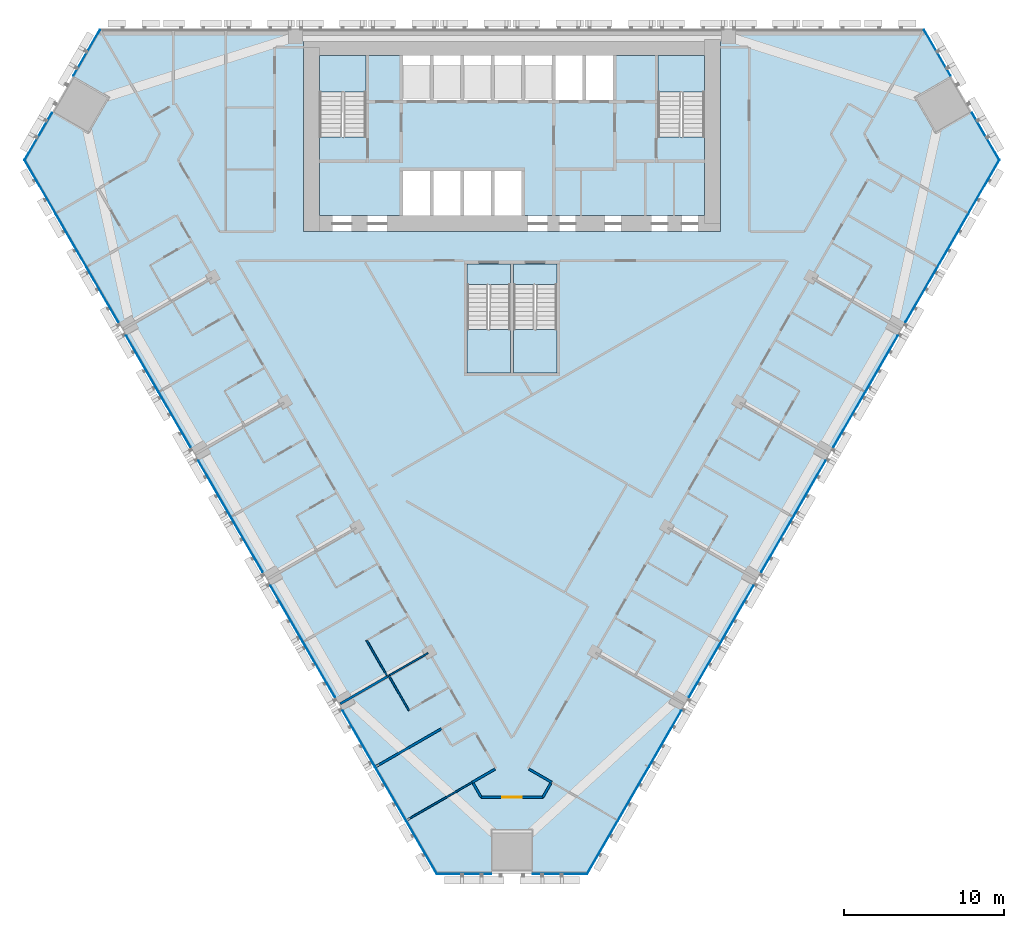
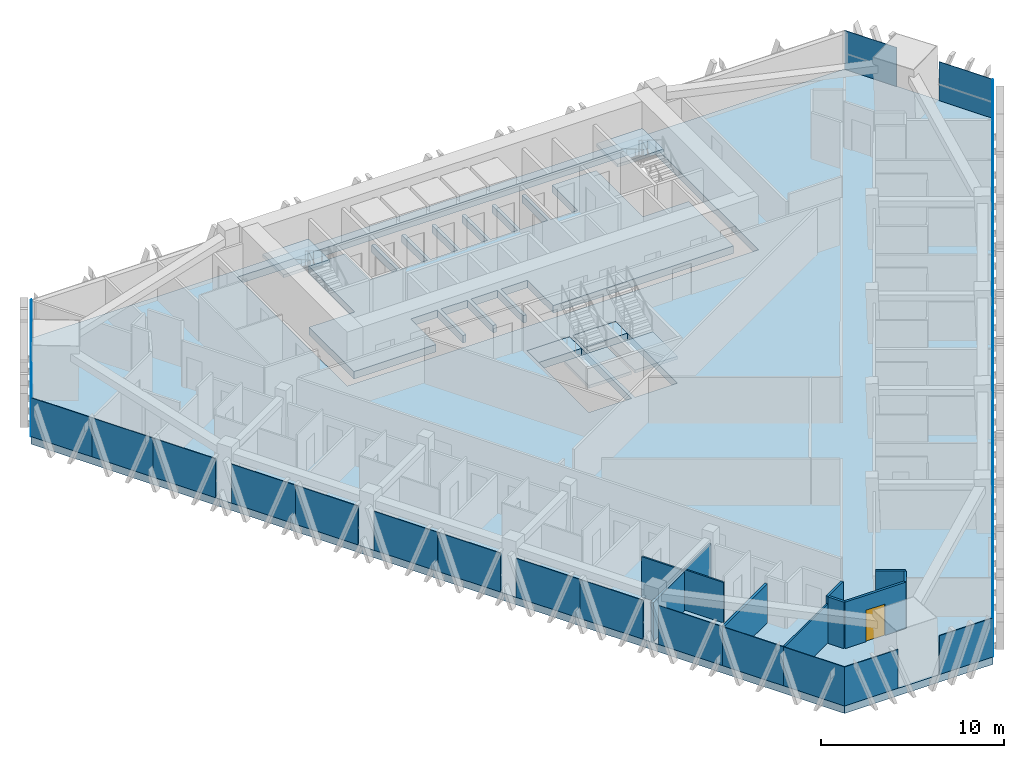
# One storey, part 8 of 17: 30 plates, 11 walls, 8 slabs, 1 door, 1 opening, 9 elements without a shape of their own.
"""IFC4 building model written with IfcOpenShell, lengths in metres."""

from ifc_helpers import new_model, si_unit, direction, frame, frame_2d, origin, origin_2d, place, context, subcontext, project, spatial, polyline, rectangle, outline, extrude, material, layer, layer_set, type_object, element, fill, aggregate, save


model = new_model("IFC4")

# Units and contexts
model_context = context("Model", 3, precision=1e-05, world=origin(), true_north=direction((0.0, 1.0)))
body_context = subcontext(model_context, "Body", "Model", "MODEL_VIEW")
ifc_project = project(units=[si_unit("LENGTHUNIT", "METRE"), si_unit("AREAUNIT", "SQUARE_METRE"), si_unit("VOLUMEUNIT", "CUBIC_METRE"), si_unit("PLANEANGLEUNIT", "RADIAN"), si_unit("MASSUNIT", "GRAM", prefix="KILO")], contexts=[model_context])

# Site, building, storey
site_placement = place(None, origin())
site = spatial("IfcSite", under=ifc_project, at=site_placement, CompositionType="ELEMENT")
building_placement = place(site_placement, origin())
building = spatial("IfcBuilding", under=site, at=building_placement, Name="Altiplano Prism Tower", CompositionType="ELEMENT")
storey_placement = place(building_placement, frame((0.0, 0.0, 55.800048828125)))
storey = spatial("IfcBuildingStorey", under=building, at=storey_placement, Name="L13", CompositionType="ELEMENT", Elevation=55.800048828125)

# Curtain wall, plates
ifc_material_1 = material(Name="Aluminium and glass", Category="aluminium")
ifc_layer_1 = layer(ifc_material_1, 0.280029296875)
ifc_layer_set_1 = layer_set([ifc_layer_1], Name="Aluminium and glass")
curtain_wall_type = type_object("IfcCurtainWallType", Name="CW1 typical co-living unitised curtain wall", PredefinedType="NOTDEFINED", material=ifc_layer_set_1)
curtain_wall_1_placement = place(storey_placement, origin())
curtain_wall_1 = element("IfcCurtainWall", 1, at=curtain_wall_1_placement, inside=storey, type_object=curtain_wall_type, Name="CW1 curtain wall north-west chamfer L13", PredefinedType="NOTDEFINED")
ifc_material_2 = material(Name="Clear glass", Category="glass")
ifc_layer_2 = layer(ifc_material_2, 0.0400390625)
ifc_layer_set_2 = layer_set([ifc_layer_2], Name="Clear glass")
plate_type = type_object("IfcPlateType", Name="CW1 insulated glass unit 40", PredefinedType="CURTAIN_PANEL", material=ifc_layer_set_2)
plate_1_placement = place(storey_placement, frame((58.480224609375, 103.555908203125, 0.0), z_axis=(0.0, 0.0, 1.0), x_axis=(-0.500000056999, -0.866025370876, 0.0)))
plate_1 = element("IfcPlate", 2, at=plate_1_placement, type_object=plate_type, Name="CW1 panel", PredefinedType="CURTAIN_PANEL", context=body_context, shape_type="SweptSolid", body=[
    extrude(rectangle(XDim=3.30224609375, YDim=0.0400390625, at=origin_2d()), origin(), (0.0, 0.0, 1.0), 2.60009765625),
])
plate_2_placement = place(storey_placement, frame((55.46435546875, 98.331787109375, 0.0), z_axis=(0.0, 0.0, 1.0), x_axis=(-0.500000056999, -0.866025370876, 0.0)))
plate_2 = element("IfcPlate", 3, at=plate_2_placement, type_object=plate_type, Name="CW1 panel", PredefinedType="CURTAIN_PANEL", context=body_context, shape_type="SweptSolid", body=[
    extrude(rectangle(XDim=3.382080078125, YDim=0.0400390625, at=origin_2d()), origin(), (0.0, 0.0, 1.0), 2.60009765625),
])
aggregate(curtain_wall_1, [plate_1, plate_2])

curtain_wall_2_placement = place(storey_placement, origin())
curtain_wall_2 = element("IfcCurtainWall", 4, at=curtain_wall_2_placement, inside=storey, type_object=curtain_wall_type, Name="CW1 curtain wall south-west face L13", PredefinedType="NOTDEFINED")
plate_3_placement = place(storey_placement, frame((55.579833984375, 95.2138671875, 0.0), z_axis=(0.0, 0.0, 1.0), x_axis=(0.499999992322, -0.866025408218, 0.0)))
plate_3 = element("IfcPlate", 5, at=plate_3_placement, type_object=plate_type, Name="CW1 panel", PredefinedType="CURTAIN_PANEL", context=body_context, shape_type="SweptSolid", body=[
    extrude(rectangle(XDim=3.844482421875, YDim=0.0400390625, at=origin_2d()), origin(), (0.0, 0.0, 1.0), 2.60009765625),
])
plate_4_placement = place(storey_placement, frame((57.507080078125, 91.8759765625, 0.0), z_axis=(0.0, 0.0, 1.0), x_axis=(0.499999992322, -0.866025408218, 0.0)))
plate_4 = element("IfcPlate", 6, at=plate_4_placement, type_object=plate_type, Name="CW1 panel", PredefinedType="CURTAIN_PANEL", context=body_context, shape_type="SweptSolid", body=[
    extrude(rectangle(XDim=3.844482421875, YDim=0.0400390625, at=origin_2d()), origin(), (0.0, 0.0, 1.0), 2.60009765625),
])
plate_5_placement = place(storey_placement, frame((59.46337890625, 88.487548828125, 0.0), z_axis=(0.0, 0.0, 1.0), x_axis=(0.499999992322, -0.866025408218, 0.0)))
plate_5 = element("IfcPlate", 7, at=plate_5_placement, type_object=plate_type, Name="CW1 panel", PredefinedType="CURTAIN_PANEL", context=body_context, shape_type="SweptSolid", body=[
    extrude(rectangle(XDim=3.96044921875, YDim=0.0400390625, at=origin_2d()), origin(), (0.0, 0.0, 1.0), 2.60009765625),
])
plate_6_placement = place(storey_placement, frame((61.95849609375, 84.166015625, 0.0), z_axis=(0.0, 0.0, 1.0), x_axis=(0.499999992322, -0.866025408218, 0.0)))
plate_6 = element("IfcPlate", 8, at=plate_6_placement, type_object=plate_type, Name="CW1 panel", PredefinedType="CURTAIN_PANEL", context=body_context, shape_type="SweptSolid", body=[
    extrude(rectangle(XDim=4.039306640625, YDim=0.0400390625, at=origin_2d()), origin(), (0.0, 0.0, 1.0), 2.60009765625),
])
plate_7_placement = place(storey_placement, frame((63.96337890625, 80.693359375, 0.0), z_axis=(0.0, 0.0, 1.0), x_axis=(0.499999992322, -0.866025408218, 0.0)))
plate_7 = element("IfcPlate", 9, at=plate_7_placement, type_object=plate_type, Name="CW1 panel", PredefinedType="CURTAIN_PANEL", context=body_context, shape_type="SweptSolid", body=[
    extrude(rectangle(XDim=3.96044921875, YDim=0.0400390625, at=origin_2d()), origin(), (0.0, 0.0, 1.0), 2.60009765625),
])
plate_8_placement = place(storey_placement, frame((66.45849609375, 76.371826171875, 0.0), z_axis=(0.0, 0.0, 1.0), x_axis=(0.499999992322, -0.866025408218, 0.0)))
plate_8 = element("IfcPlate", 10, at=plate_8_placement, type_object=plate_type, Name="CW1 panel", PredefinedType="CURTAIN_PANEL", context=body_context, shape_type="SweptSolid", body=[
    extrude(rectangle(XDim=4.039306640625, YDim=0.0400390625, at=origin_2d()), origin(), (0.0, 0.0, 1.0), 2.60009765625),
])
plate_9_placement = place(storey_placement, frame((68.46337890625, 72.899169921875, 0.0), z_axis=(0.0, 0.0, 1.0), x_axis=(0.499999992322, -0.866025408218, 0.0)))
plate_9 = element("IfcPlate", 11, at=plate_9_placement, type_object=plate_type, Name="CW1 panel", PredefinedType="CURTAIN_PANEL", context=body_context, shape_type="SweptSolid", body=[
    extrude(rectangle(XDim=3.96044921875, YDim=0.0400390625, at=origin_2d()), origin(), (0.0, 0.0, 1.0), 2.60009765625),
])
plate_10_placement = place(storey_placement, frame((70.95849609375, 68.57763671875, 0.0), z_axis=(0.0, 0.0, 1.0), x_axis=(0.499999992322, -0.866025408218, 0.0)))
plate_10 = element("IfcPlate", 12, at=plate_10_placement, type_object=plate_type, Name="CW1 panel", PredefinedType="CURTAIN_PANEL", context=body_context, shape_type="SweptSolid", body=[
    extrude(rectangle(XDim=4.039306640625, YDim=0.0400390625, at=origin_2d()), origin(), (0.0, 0.0, 1.0), 2.60009765625),
])
plate_11_placement = place(storey_placement, frame((72.96337890625, 65.104736328125, 0.0), z_axis=(0.0, 0.0, 1.0), x_axis=(0.499999992322, -0.866025408218, 0.0)))
plate_11 = element("IfcPlate", 13, at=plate_11_placement, type_object=plate_type, Name="CW1 panel", PredefinedType="CURTAIN_PANEL", context=body_context, shape_type="SweptSolid", body=[
    extrude(rectangle(XDim=3.96044921875, YDim=0.0400390625, at=origin_2d()), origin(), (0.0, 0.0, 1.0), 2.60009765625),
])
plate_12_placement = place(storey_placement, frame((75.45849609375, 60.783203125, 0.0), z_axis=(0.0, 0.0, 1.0), x_axis=(0.499999992322, -0.866025408218, 0.0)))
plate_12 = element("IfcPlate", 14, at=plate_12_placement, type_object=plate_type, Name="CW1 panel", PredefinedType="CURTAIN_PANEL", context=body_context, shape_type="SweptSolid", body=[
    extrude(rectangle(XDim=4.039306640625, YDim=0.0400390625, at=origin_2d()), origin(), (0.0, 0.0, 1.0), 2.60009765625),
])
plate_13_placement = place(storey_placement, frame((77.434326171875, 57.36083984375, 0.0), z_axis=(0.0, 0.0, 1.0), x_axis=(0.499999992322, -0.866025408218, 0.0)))
plate_13 = element("IfcPlate", 15, at=plate_13_placement, type_object=plate_type, Name="CW1 panel", PredefinedType="CURTAIN_PANEL", context=body_context, shape_type="SweptSolid", body=[
    extrude(rectangle(XDim=3.844482421875, YDim=0.0400390625, at=origin_2d()), origin(), (0.0, 0.0, 1.0), 2.60009765625),
])
plate_14_placement = place(storey_placement, frame((79.361572265625, 54.022705078125, 0.0), z_axis=(0.0, 0.0, 1.0), x_axis=(0.499999992322, -0.866025408218, 0.0)))
plate_14 = element("IfcPlate", 16, at=plate_14_placement, type_object=plate_type, Name="CW1 panel", PredefinedType="CURTAIN_PANEL", context=body_context, shape_type="SweptSolid", body=[
    extrude(rectangle(XDim=3.844482421875, YDim=0.0400390625, at=origin_2d()), origin(), (0.0, 0.0, 1.0), 2.60009765625),
])
aggregate(curtain_wall_2, [plate_3, plate_4, plate_5, plate_6, plate_7, plate_8, plate_9, plate_10, plate_11, plate_12, plate_13, plate_14])

curtain_wall_3_placement = place(storey_placement, origin())
curtain_wall_3 = element("IfcCurtainWall", 17, at=curtain_wall_3_placement, inside=storey, type_object=curtain_wall_type, Name="CW1 curtain wall south chamfer L13", PredefinedType="NOTDEFINED")
plate_15_placement = place(storey_placement, frame((82.00390625, 52.36376953125, 0.0), z_axis=(0.0, 0.0, 1.0), x_axis=(1.0, 0.0, 0.0)))
plate_15 = element("IfcPlate", 18, at=plate_15_placement, type_object=plate_type, Name="CW1 panel", PredefinedType="CURTAIN_PANEL", context=body_context, shape_type="SweptSolid", body=[
    extrude(rectangle(XDim=3.382080078125, YDim=0.0400390625, at=origin_2d()), origin(), (0.0, 0.0, 1.0), 2.60009765625),
])
plate_16_placement = place(storey_placement, frame((87.99609375, 52.36376953125, 0.0), z_axis=(0.0, 0.0, 1.0), x_axis=(1.0, 0.0, 0.0)))
plate_16 = element("IfcPlate", 19, at=plate_16_placement, type_object=plate_type, Name="CW1 panel", PredefinedType="CURTAIN_PANEL", context=body_context, shape_type="SweptSolid", body=[
    extrude(rectangle(XDim=3.382080078125, YDim=0.0400390625, at=origin_2d()), origin(), (0.0, 0.0, 1.0), 2.60009765625),
])
aggregate(curtain_wall_3, [plate_15, plate_16])

curtain_wall_4_placement = place(storey_placement, origin())
curtain_wall_4 = element("IfcCurtainWall", 20, at=curtain_wall_4_placement, inside=storey, type_object=curtain_wall_type, Name="CW1 curtain wall south-east face L13", PredefinedType="NOTDEFINED")
plate_17_placement = place(storey_placement, frame((90.638427734375, 54.022705078125, 0.0), z_axis=(0.0, 0.0, 1.0), x_axis=(0.499999992322, 0.866025408218, 0.0)))
plate_17 = element("IfcPlate", 21, at=plate_17_placement, type_object=plate_type, Name="CW1 panel", PredefinedType="CURTAIN_PANEL", context=body_context, shape_type="SweptSolid", body=[
    extrude(rectangle(XDim=3.844482421875, YDim=0.0400390625, at=origin_2d()), origin(), (0.0, 0.0, 1.0), 2.60009765625),
])
plate_18_placement = place(storey_placement, frame((92.565673828125, 57.36083984375, 0.0), z_axis=(0.0, 0.0, 1.0), x_axis=(0.499999992322, 0.866025408218, 0.0)))
plate_18 = element("IfcPlate", 22, at=plate_18_placement, type_object=plate_type, Name="CW1 panel", PredefinedType="CURTAIN_PANEL", context=body_context, shape_type="SweptSolid", body=[
    extrude(rectangle(XDim=3.844482421875, YDim=0.0400390625, at=origin_2d()), origin(), (0.0, 0.0, 1.0), 2.60009765625),
])
plate_19_placement = place(storey_placement, frame((94.54150390625, 60.783203125, 0.0), z_axis=(0.0, 0.0, 1.0), x_axis=(0.499999992322, 0.866025408218, 0.0)))
plate_19 = element("IfcPlate", 23, at=plate_19_placement, type_object=plate_type, Name="CW1 panel", PredefinedType="CURTAIN_PANEL", context=body_context, shape_type="SweptSolid", body=[
    extrude(rectangle(XDim=4.039306640625, YDim=0.0400390625, at=origin_2d()), origin(), (0.0, 0.0, 1.0), 2.60009765625),
])
plate_20_placement = place(storey_placement, frame((97.03662109375, 65.104736328125, 0.0), z_axis=(0.0, 0.0, 1.0), x_axis=(0.499999992322, 0.866025408218, 0.0)))
plate_20 = element("IfcPlate", 24, at=plate_20_placement, type_object=plate_type, Name="CW1 panel", PredefinedType="CURTAIN_PANEL", context=body_context, shape_type="SweptSolid", body=[
    extrude(rectangle(XDim=3.96044921875, YDim=0.0400390625, at=origin_2d()), origin(), (0.0, 0.0, 1.0), 2.60009765625),
])
plate_21_placement = place(storey_placement, frame((99.04150390625, 68.57763671875, 0.0), z_axis=(0.0, 0.0, 1.0), x_axis=(0.499999992322, 0.866025408218, 0.0)))
plate_21 = element("IfcPlate", 25, at=plate_21_placement, type_object=plate_type, Name="CW1 panel", PredefinedType="CURTAIN_PANEL", context=body_context, shape_type="SweptSolid", body=[
    extrude(rectangle(XDim=4.039306640625, YDim=0.0400390625, at=origin_2d()), origin(), (0.0, 0.0, 1.0), 2.60009765625),
])
plate_22_placement = place(storey_placement, frame((101.53662109375, 72.899169921875, 0.0), z_axis=(0.0, 0.0, 1.0), x_axis=(0.499999992322, 0.866025408218, 0.0)))
plate_22 = element("IfcPlate", 26, at=plate_22_placement, type_object=plate_type, Name="CW1 panel", PredefinedType="CURTAIN_PANEL", context=body_context, shape_type="SweptSolid", body=[
    extrude(rectangle(XDim=3.96044921875, YDim=0.0400390625, at=origin_2d()), origin(), (0.0, 0.0, 1.0), 2.60009765625),
])
plate_23_placement = place(storey_placement, frame((103.54150390625, 76.371826171875, 0.0), z_axis=(0.0, 0.0, 1.0), x_axis=(0.499999992322, 0.866025408218, 0.0)))
plate_23 = element("IfcPlate", 27, at=plate_23_placement, type_object=plate_type, Name="CW1 panel", PredefinedType="CURTAIN_PANEL", context=body_context, shape_type="SweptSolid", body=[
    extrude(rectangle(XDim=4.039306640625, YDim=0.0400390625, at=origin_2d()), origin(), (0.0, 0.0, 1.0), 2.60009765625),
])
plate_24_placement = place(storey_placement, frame((106.03662109375, 80.693359375, 0.0), z_axis=(0.0, 0.0, 1.0), x_axis=(0.499999992322, 0.866025408218, 0.0)))
plate_24 = element("IfcPlate", 28, at=plate_24_placement, type_object=plate_type, Name="CW1 panel", PredefinedType="CURTAIN_PANEL", context=body_context, shape_type="SweptSolid", body=[
    extrude(rectangle(XDim=3.96044921875, YDim=0.0400390625, at=origin_2d()), origin(), (0.0, 0.0, 1.0), 2.60009765625),
])
plate_25_placement = place(storey_placement, frame((108.04150390625, 84.166015625, 0.0), z_axis=(0.0, 0.0, 1.0), x_axis=(0.499999992322, 0.866025408218, 0.0)))
plate_25 = element("IfcPlate", 29, at=plate_25_placement, type_object=plate_type, Name="CW1 panel", PredefinedType="CURTAIN_PANEL", context=body_context, shape_type="SweptSolid", body=[
    extrude(rectangle(XDim=4.039306640625, YDim=0.0400390625, at=origin_2d()), origin(), (0.0, 0.0, 1.0), 2.60009765625),
])
plate_26_placement = place(storey_placement, frame((110.53662109375, 88.487548828125, 0.0), z_axis=(0.0, 0.0, 1.0), x_axis=(0.499999992322, 0.866025408218, 0.0)))
plate_26 = element("IfcPlate", 30, at=plate_26_placement, type_object=plate_type, Name="CW1 panel", PredefinedType="CURTAIN_PANEL", context=body_context, shape_type="SweptSolid", body=[
    extrude(rectangle(XDim=3.96044921875, YDim=0.0400390625, at=origin_2d()), origin(), (0.0, 0.0, 1.0), 2.60009765625),
])
plate_27_placement = place(storey_placement, frame((112.492919921875, 91.8759765625, 0.0), z_axis=(0.0, 0.0, 1.0), x_axis=(0.499999992322, 0.866025408218, 0.0)))
plate_27 = element("IfcPlate", 31, at=plate_27_placement, type_object=plate_type, Name="CW1 panel", PredefinedType="CURTAIN_PANEL", context=body_context, shape_type="SweptSolid", body=[
    extrude(rectangle(XDim=3.844482421875, YDim=0.0400390625, at=origin_2d()), origin(), (0.0, 0.0, 1.0), 2.60009765625),
])
plate_28_placement = place(storey_placement, frame((114.420166015625, 95.2138671875, 0.0), z_axis=(0.0, 0.0, 1.0), x_axis=(0.499999992322, 0.866025408218, 0.0)))
plate_28 = element("IfcPlate", 32, at=plate_28_placement, type_object=plate_type, Name="CW1 panel", PredefinedType="CURTAIN_PANEL", context=body_context, shape_type="SweptSolid", body=[
    extrude(rectangle(XDim=3.844482421875, YDim=0.0400390625, at=origin_2d()), origin(), (0.0, 0.0, 1.0), 2.60009765625),
])
aggregate(curtain_wall_4, [plate_17, plate_18, plate_19, plate_20, plate_21, plate_22, plate_23, plate_24, plate_25, plate_26, plate_27, plate_28])

curtain_wall_5_placement = place(storey_placement, origin())
curtain_wall_5 = element("IfcCurtainWall", 33, at=curtain_wall_5_placement, inside=storey, type_object=curtain_wall_type, Name="CW1 curtain wall north-east chamfer L13", PredefinedType="NOTDEFINED")
plate_29_placement = place(storey_placement, frame((114.53564453125, 98.331787109375, 0.0), z_axis=(0.0, 0.0, 1.0), x_axis=(-0.500000056999, 0.866025370876, 0.0)))
plate_29 = element("IfcPlate", 34, at=plate_29_placement, type_object=plate_type, Name="CW1 panel", PredefinedType="CURTAIN_PANEL", context=body_context, shape_type="SweptSolid", body=[
    extrude(rectangle(XDim=3.382080078125, YDim=0.0400390625, at=origin_2d()), origin(), (0.0, 0.0, 1.0), 2.60009765625),
])
plate_30_placement = place(storey_placement, frame((111.519775390625, 103.555908203125, 0.0), z_axis=(0.0, 0.0, 1.0), x_axis=(-0.500000056999, 0.866025370876, 0.0)))
plate_30 = element("IfcPlate", 35, at=plate_30_placement, type_object=plate_type, Name="CW1 panel", PredefinedType="CURTAIN_PANEL", context=body_context, shape_type="SweptSolid", body=[
    extrude(rectangle(XDim=3.30224609375, YDim=0.0400390625, at=origin_2d()), origin(), (0.0, 0.0, 1.0), 2.60009765625),
])
aggregate(curtain_wall_5, [plate_29, plate_30])

# Slabs
ifc_material_3 = material(Name="Concrete C40/50", Category="concrete")
ifc_layer_3 = layer(ifc_material_3, 0.5)
ifc_layer_set_3 = layer_set([ifc_layer_3], Name="Concrete C40/50")
slab_type_1 = type_object("IfcSlabType", Name="Core floor slab 500", PredefinedType="FLOOR", material=ifc_layer_set_3)
slab_1_placement = place(storey_placement, frame((0.0, 0.0, -0.5)))
element("IfcSlab", 36, at=slab_1_placement, inside=storey, type_object=slab_type_1, Name="Core floor slab L13", PredefinedType="FLOOR", context=body_context, shape_type="SweptSolid", body=[
    extrude(outline(polyline([(97.0, 98.31005859375), (94.10009765625, 98.31005859375), (94.10009765625, 103.39990234375), (91.300048828125, 103.39990234375), (91.300048828125, 100.60009765625), (89.60009765625, 100.60009765625), (89.60009765625, 103.39990234375), (89.39990234375, 103.39990234375), (89.39990234375, 100.60009765625), (87.699951171875, 100.60009765625), (87.699951171875, 103.39990234375), (87.5, 103.39990234375), (87.5, 100.60009765625), (85.800048828125, 100.60009765625), (85.800048828125, 103.39990234375), (85.60009765625, 103.39990234375), (85.60009765625, 100.60009765625), (83.89990234375, 100.60009765625), (83.89990234375, 103.39990234375), (83.699951171875, 103.39990234375), (83.699951171875, 100.60009765625), (82.0, 100.60009765625), (82.0, 103.39990234375), (81.800048828125, 103.39990234375), (81.800048828125, 100.60009765625), (80.10009765625, 100.60009765625), (80.10009765625, 103.39990234375), (79.89990234375, 103.39990234375), (79.89990234375, 100.60009765625), (78.199951171875, 100.60009765625), (78.199951171875, 103.39990234375), (75.89990234375, 103.39990234375), (75.89990234375, 98.31005859375), (73.0, 98.31005859375), (73.0, 93.39990234375), (78.199951171875, 93.39990234375), (78.199951171875, 96.199951171875), (79.89990234375, 96.199951171875), (79.89990234375, 93.39990234375), (80.10009765625, 93.39990234375), (80.10009765625, 96.199951171875), (81.800048828125, 96.199951171875), (81.800048828125, 93.39990234375), (82.0, 93.39990234375), (82.0, 96.199951171875), (83.699951171875, 96.199951171875), (83.699951171875, 93.39990234375), (83.89990234375, 93.39990234375), (83.89990234375, 96.199951171875), (85.60009765625, 96.199951171875), (85.60009765625, 93.39990234375), (97.0, 93.39990234375), (97.0, 98.31005859375)])), origin(), (0.0, 0.0, 1.0), 0.5),
])
slab_2_placement = place(storey_placement, frame((0.0, 0.0, -0.5)))
element("IfcSlab", 37, at=slab_2_placement, inside=storey, type_object=slab_type_1, Name="Stair 3A landing slab L13", PredefinedType="FLOOR", context=body_context, shape_type="SweptSolid", body=[
    extrude(outline(polyline([(82.199951171875, 89.096923828125), (84.89990234375, 89.096923828125), (84.89990234375, 90.39990234375), (82.199951171875, 90.39990234375), (82.199951171875, 89.096923828125)])), origin(), (0.0, 0.0, 1.0), 0.5),
])
slab_3_placement = place(storey_placement, frame((0.0, 0.0, -0.5)))
element("IfcSlab", 38, at=slab_3_placement, inside=storey, type_object=slab_type_1, Name="Stair 3B landing slab L13", PredefinedType="FLOOR", context=body_context, shape_type="SweptSolid", body=[
    extrude(outline(polyline([(85.10009765625, 89.096923828125), (87.800048828125, 89.096923828125), (87.800048828125, 90.39990234375), (85.10009765625, 90.39990234375), (85.10009765625, 89.096923828125)])), origin(), (0.0, 0.0, 1.0), 0.5),
])
ifc_layer_4 = layer(ifc_material_3, 0.5)
ifc_layer_set_4 = layer_set([ifc_layer_4], Name="Concrete C40/50")
slab_type_2 = type_object("IfcSlabType", Name="Post-tensioned flat slab 500", PredefinedType="FLOOR", material=ifc_layer_set_4)
slab_4_placement = place(storey_placement, frame((0.0, 0.0, -0.5)))
element("IfcSlab", 39, at=slab_4_placement, inside=storey, type_object=slab_type_2, Name="Floor slab L13", PredefinedType="FLOOR", context=body_context, shape_type="SweptSolid", body=[
    extrude(outline(polyline([(80.307861328125, 52.34375), (54.598876953125, 96.873046875), (59.291015625, 105.0), (110.708984375, 105.0), (115.401123046875, 96.873046875), (89.692138671875, 52.34375), (80.307861328125, 52.34375)]), holes=[polyline([(72.0, 104.39990234375), (72.0, 92.39990234375), (98.0, 92.39990234375), (98.0, 104.39990234375), (72.0, 104.39990234375)]), polyline([(84.89990234375, 90.39990234375), (82.199951171875, 90.39990234375), (82.199951171875, 83.60009765625), (84.89990234375, 83.60009765625), (84.89990234375, 90.39990234375)]), polyline([(87.800048828125, 83.60009765625), (87.800048828125, 90.39990234375), (85.10009765625, 90.39990234375), (85.10009765625, 83.60009765625), (87.800048828125, 83.60009765625)])]), origin(), (0.0, 0.0, 1.0), 0.5),
])

# Stair, slab
stair_type_1 = type_object("IfcStairType", Name="Exit stair 1400", PredefinedType="HALF_TURN_STAIR", material=ifc_material_3)
stair_1_placement = place(storey_placement, origin())
stair_1 = element("IfcStair", 40, at=stair_1_placement, inside=storey, type_object=stair_type_1, Name="L13 Exit Stair 1", PredefinedType="HALF_TURN_STAIR")
ifc_layer_5 = layer(ifc_material_3, 0.199951171875)
ifc_layer_set_5 = layer_set([ifc_layer_5], Name="Concrete C40/50")
slab_type_3 = type_object("IfcSlabType", Name="Stair landing 200", PredefinedType="LANDING", material=ifc_layer_set_5)
slab_5_placement = place(storey_placement, frame((0.0, 0.0, 1.599853515625)))
slab_5 = element("IfcSlab", 41, at=slab_5_placement, type_object=slab_type_3, Name="ST1 landing 1", PredefinedType="LANDING", context=body_context, shape_type="SweptSolid", body=[
    extrude(outline(polyline([(75.89990234375, 101.096923828125), (75.89990234375, 103.39990234375), (73.0, 103.39990234375), (73.0, 101.096923828125), (75.89990234375, 101.096923828125)])), origin(), (0.0, 0.0, 1.0), 0.2001953125),
])
aggregate(stair_1, [slab_5])

stair_2_placement = place(storey_placement, origin())
stair_2 = element("IfcStair", 42, at=stair_2_placement, inside=storey, type_object=stair_type_1, Name="L13 Exit Stair 2", PredefinedType="HALF_TURN_STAIR")
slab_6_placement = place(storey_placement, frame((0.0, 0.0, 1.599853515625)))
slab_6 = element("IfcSlab", 43, at=slab_6_placement, type_object=slab_type_3, Name="ST2 landing 1", PredefinedType="LANDING", context=body_context, shape_type="SweptSolid", body=[
    extrude(outline(polyline([(97.0, 101.096923828125), (97.0, 103.39990234375), (94.10009765625, 103.39990234375), (94.10009765625, 101.096923828125), (97.0, 101.096923828125)])), origin(), (0.0, 0.0, 1.0), 0.2001953125),
])
aggregate(stair_2, [slab_6])

stair_type_2 = type_object("IfcStairType", Name="Exit stair 1300", PredefinedType="HALF_TURN_STAIR", material=ifc_material_3)
stair_3_placement = place(storey_placement, origin())
stair_3 = element("IfcStair", 44, at=stair_3_placement, inside=storey, type_object=stair_type_2, Name="L13 Exit Stair 3A", PredefinedType="HALF_TURN_STAIR")
slab_7_placement = place(storey_placement, frame((0.0, 0.0, 1.599853515625)))
slab_7 = element("IfcSlab", 45, at=slab_7_placement, type_object=slab_type_3, Name="ST3A landing 1", PredefinedType="LANDING", context=body_context, shape_type="SweptSolid", body=[
    extrude(outline(polyline([(82.199951171875, 86.302978515625), (82.199951171875, 83.60009765625), (84.89990234375, 83.60009765625), (84.89990234375, 86.302978515625), (82.199951171875, 86.302978515625)])), origin(), (0.0, 0.0, 1.0), 0.2001953125),
])
aggregate(stair_3, [slab_7])

stair_4_placement = place(storey_placement, origin())
stair_4 = element("IfcStair", 46, at=stair_4_placement, inside=storey, type_object=stair_type_2, Name="L13 Exit Stair 3B", PredefinedType="HALF_TURN_STAIR")
slab_8_placement = place(storey_placement, frame((0.0, 0.0, 1.599853515625)))
slab_8 = element("IfcSlab", 47, at=slab_8_placement, type_object=slab_type_3, Name="ST3B landing 1", PredefinedType="LANDING", context=body_context, shape_type="SweptSolid", body=[
    extrude(outline(polyline([(85.10009765625, 86.302978515625), (85.10009765625, 83.60009765625), (87.800048828125, 83.60009765625), (87.800048828125, 86.302978515625), (85.10009765625, 86.302978515625)])), origin(), (0.0, 0.0, 1.0), 0.2001953125),
])
aggregate(stair_4, [slab_8])

# Walls
ifc_material_4 = material(Name="Plasterboard on steel stud", Category="steel")
ifc_layer_6 = layer(ifc_material_4, 0.10009765625)
ifc_layer_set_6 = layer_set([ifc_layer_6], Name="Plasterboard on steel stud")
wall_type_1 = type_object("IfcWallType", Name="Partition 100 unit", PredefinedType="PARTITIONING", material=ifc_layer_set_6)
wall_1_placement = place(storey_placement, frame((77.197021484375, 64.73193359375, 0.0), z_axis=(0.0, 0.0, 1.0), x_axis=(-0.499976333282, 0.866039067339, 0.0)))
element("IfcWall", 48, at=wall_1_placement, inside=storey, type_object=wall_type_1, Name="Partition P02 L13 077", PredefinedType="PARTITIONING", context=body_context, shape_type="SweptSolid", body=[
    extrude(rectangle(XDim=2.52490234375, YDim=0.10009765625, at=frame_2d((1.262451171875, 0.0))), origin(), (0.0, 0.0, 1.0), 2.699951171875),
])
wall_2_placement = place(storey_placement, frame((78.571044921875, 62.552001953125, 0.0), z_axis=(0.0, 0.0, 1.0), x_axis=(-0.500004234368, 0.866022959057, 0.0)))
element("IfcWall", 49, at=wall_2_placement, inside=storey, type_object=wall_type_1, Name="Partition P02 L13 082", PredefinedType="PARTITIONING", context=body_context, shape_type="SweptSolid", body=[
    extrude(rectangle(XDim=2.5, YDim=0.10009765625, at=frame_2d((1.25, 0.0))), origin(), (0.0, 0.0, 1.0), 2.699951171875),
])
ifc_layer_7 = layer(ifc_material_4, 0.10009765625)
ifc_layer_set_7 = layer_set([ifc_layer_7], Name="Plasterboard on steel stud")
wall_type_2 = type_object("IfcWallType", Name="Partition 100 wet", PredefinedType="PARTITIONING", material=ifc_layer_set_7)
wall_3_placement = place(storey_placement, frame((77.321044921875, 64.717041015625, 0.0), z_axis=(0.0, 0.0, 1.0), x_axis=(0.866011447264, 0.500024172624, 0.0)))
element("IfcWall", 50, at=wall_3_placement, inside=storey, type_object=wall_type_2, Name="Partition P03 L13 080", PredefinedType="PARTITIONING", context=body_context, shape_type="SweptSolid", body=[
    extrude(rectangle(XDim=2.824951171875, YDim=0.10009765625, at=frame_2d((1.41259765625, 0.0))), origin(), (0.0, 0.0, 1.0), 2.699951171875),
])
wall_4_placement = place(storey_placement, frame((78.44970703125, 55.7216796875, 0.0), z_axis=(0.0, 0.0, 1.0), x_axis=(0.866028828302, 0.499994068514, 0.0)))
element("IfcWall", 51, at=wall_4_placement, inside=storey, type_object=wall_type_2, Name="Partition P03 L13 084", PredefinedType="PARTITIONING", context=body_context, shape_type="SweptSolid", body=[
    extrude(rectangle(XDim=4.72021484375, YDim=0.10009765625, at=frame_2d((2.360107421875, 0.0))), origin(), (0.0, 0.0, 1.0), 2.599853515625),
])
ifc_layer_8 = layer(ifc_material_4, 0.14990234375)
ifc_layer_set_8 = layer_set([ifc_layer_8], Name="Plasterboard on steel stud")
wall_type_3 = type_object("IfcWallType", Name="Partition 150 corridor", PredefinedType="PARTITIONING", material=ifc_layer_set_8)
wall_5_placement = place(storey_placement, frame((83.94482421875, 58.894287109375, 0.0), z_axis=(0.0, 0.0, 1.0), x_axis=(-0.866015045157, -0.50001794124, 0.0)))
element("IfcWall", 52, at=wall_5_placement, inside=storey, type_object=wall_type_3, Name="Partition P06 L13 017", PredefinedType="PARTITIONING", context=body_context, shape_type="SweptSolid", body=[
    extrude(rectangle(XDim=1.64501953125, YDim=0.14990234375, at=frame_2d((0.822509765625, 0.0))), origin(), (0.0, 0.0, 1.0), 3.099853515625),
])
wall_6_placement = place(storey_placement, frame((82.574951171875, 58.016845703125, 0.0), z_axis=(0.0, 0.0, 1.0), x_axis=(0.500071819257, -0.865983934946, 0.0)))
element("IfcWall", 53, at=wall_6_placement, inside=storey, type_object=wall_type_3, Name="Partition P06 L13 018", PredefinedType="PARTITIONING", context=body_context, shape_type="SweptSolid", body=[
    extrude(rectangle(XDim=1.008056640625, YDim=0.14990234375, at=frame_2d((0.50390625, 0.0))), origin(), (0.0, 0.0, 1.0), 3.099853515625),
])

# Wall, opening, door
wall_7_placement = place(storey_placement, frame((83.0791015625, 57.143798828125, 0.0), z_axis=(0.0, 0.0, 1.0), x_axis=(1.0, 0.0, 0.0)))
wall_7 = element("IfcWall", 54, at=wall_7_placement, inside=storey, type_object=wall_type_3, Name="Partition P06 L13 019", PredefinedType="PARTITIONING", context=body_context, shape_type="SweptSolid", body=[
    extrude(rectangle(XDim=3.841796875, YDim=0.14990234375, at=frame_2d((1.9208984375, 0.0))), origin(), (0.0, 0.0, 1.0), 3.099853515625),
])
opening_placement = place(wall_7_placement, frame((1.321044921875, 0.0, 0.0)))
opening = element("IfcOpeningElement", 55, at=opening_placement, cuts=wall_7, Name="Opening D0545", PredefinedType="OPENING", context=body_context, shape_type="SweptSolid", body=[
    extrude(rectangle(XDim=1.199951171875, YDim=2.10009765625, at=frame_2d((0.60009765625, 1.050048828125))), frame((0.0, 0.08544921875, 0.0), z_axis=(0.0, -1.0, 0.0), x_axis=(1.0, 0.0, 0.0)), (0.0, 0.0, 1.0), 0.1708984375),
])
ifc_material_5 = material(Name="Timber", Category="wood")
door_type = type_object("IfcDoorType", Name="Shared room door 1200 x 2100", OperationType="NOTDEFINED", PredefinedType="NOTDEFINED", material=ifc_material_5)
door_placement = place(opening_placement, origin())
door = element("IfcDoor", 56, at=door_placement, inside=storey, type_object=door_type, Name="Door D0545", OperationType="SINGLE_SWING_LEFT", OverallHeight=2.10009765625, OverallWidth=1.199951171875, PredefinedType="NOTDEFINED", context=body_context, shape_type="SweptSolid", body=[
    extrude(rectangle(XDim=1.199951171875, YDim=2.10009765625, at=frame_2d((0.60009765625, 1.050048828125))), frame((0.0, 0.02490234375, 0.0), z_axis=(0.0, -1.0, 0.0), x_axis=(1.0, 0.0, 0.0)), (0.0, 0.0, 1.0), 0.050048828125),
])
fill(opening, door)

# Walls
wall_8_placement = place(storey_placement, frame((86.9208984375, 57.143798828125, 0.0), z_axis=(0.0, 0.0, 1.0), x_axis=(0.500071819257, 0.865983934946, 0.0)))
element("IfcWall", 57, at=wall_8_placement, inside=storey, type_object=wall_type_3, Name="Partition P06 L13 020", PredefinedType="PARTITIONING", context=body_context, shape_type="SweptSolid", body=[
    extrude(rectangle(XDim=1.008056640625, YDim=0.14990234375, at=frame_2d((0.50390625, 0.0))), origin(), (0.0, 0.0, 1.0), 3.099853515625),
])
wall_9_placement = place(storey_placement, frame((87.479736328125, 58.07177734375, 0.0), z_axis=(0.0, 0.0, 1.0), x_axis=(-0.866015045157, 0.50001794124, 0.0)))
element("IfcWall", 58, at=wall_9_placement, inside=storey, type_object=wall_type_3, Name="Partition P06 L13 021", PredefinedType="PARTITIONING", context=body_context, shape_type="SweptSolid", body=[
    extrude(rectangle(XDim=1.64501953125, YDim=0.14990234375, at=frame_2d((0.822509765625, 0.0))), origin(), (0.0, 0.0, 1.0), 3.099853515625),
])
ifc_layer_9 = layer(ifc_material_4, 0.14990234375)
ifc_layer_set_9 = layer_set([ifc_layer_9], Name="Plasterboard on steel stud")
wall_type_4 = type_object("IfcWallType", Name="Partition 150 party", PredefinedType="PARTITIONING", material=ifc_layer_set_9)
wall_10_placement = place(storey_placement, frame((74.2900390625, 62.967041015625, 0.0), z_axis=(0.0, 0.0, 1.0), x_axis=(0.866020337685, 0.500008774639, 0.0)))
element("IfcWall", 59, at=wall_10_placement, inside=storey, type_object=wall_type_4, Name="Partition P01 L13 079", PredefinedType="PARTITIONING", context=body_context, shape_type="SweptSolid", body=[
    extrude(rectangle(XDim=3.419921875, YDim=0.14990234375, at=frame_2d((1.7099609375, 0.0))), origin(), (0.0, 0.0, 1.0), 2.599853515625),
])
wall_11_placement = place(storey_placement, frame((76.5224609375, 59.059814453125, 0.0), z_axis=(0.0, 0.0, 1.0), x_axis=(0.866028828302, 0.499994068514, 0.0)))
element("IfcWall", 60, at=wall_11_placement, inside=storey, type_object=wall_type_4, Name="Partition P01 L13 083", PredefinedType="PARTITIONING", context=body_context, shape_type="SweptSolid", body=[
    extrude(rectangle(XDim=4.72021484375, YDim=0.14990234375, at=frame_2d((2.360107421875, 0.0))), origin(), (0.0, 0.0, 1.0), 2.599853515625),
])

save(model, "model.ifc")
